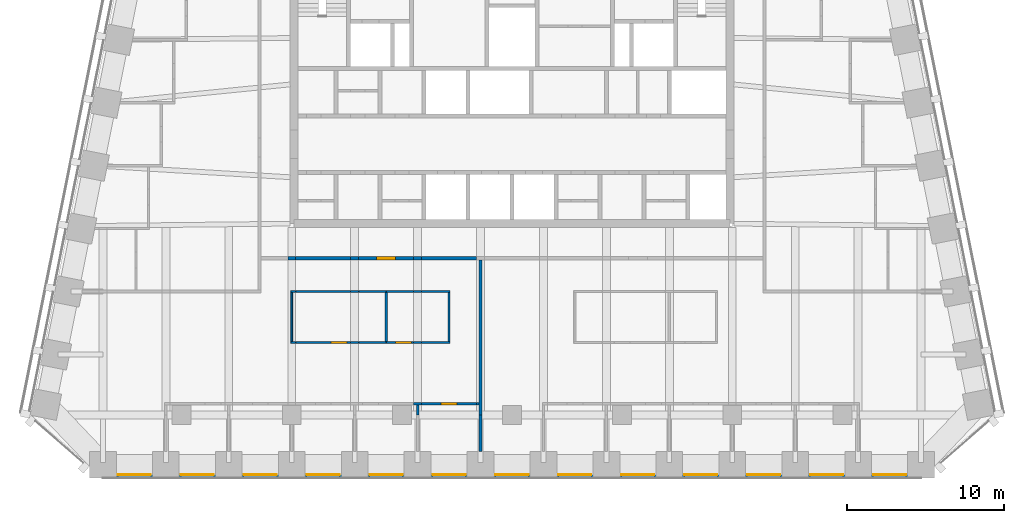
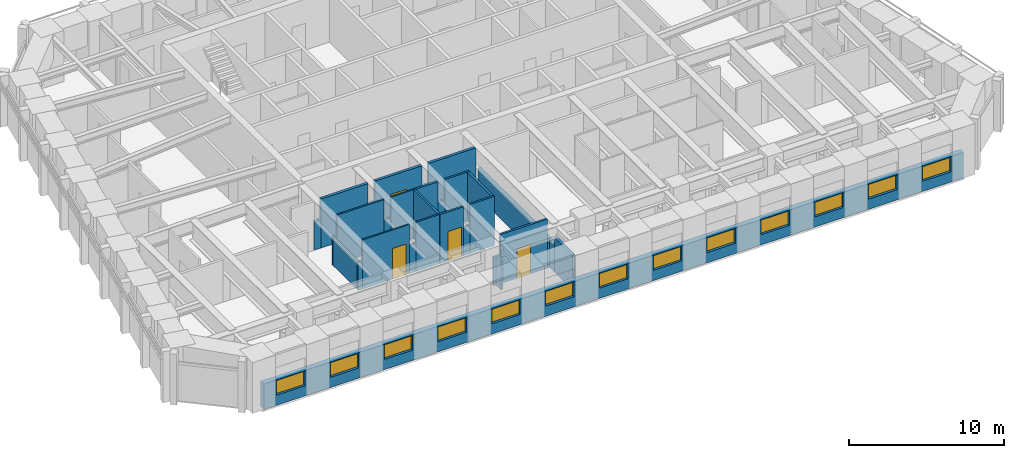
# One storey, part 5 of 13: 30 walls, 13 windows, 4 doors, 17 openings.
"""IFC4 building model written with IfcOpenShell, lengths in metres."""

import ifcopenshell
import ifcopenshell.guid

model = None  # the IFC model being written
_history = None  # IfcOwnerHistory: only IFC2X3 demands one
_inside = {}  # id of a spatial element -> (the spatial element, [elements in it])
_under = {}  # id of a project, library or spatial element -> (it, [spatial elements below it])
_declared = {}  # id of a project -> (the project, [libraries it declares])
_typed = {}  # id of a type object -> (the type object, [elements of that type])
_made_of = {}  # id of a material, layer set ... -> (it, [elements and type objects made of it])


def new_model(schema):
    """Start an empty IFC model of exactly this schema.

    Asked for "IFC4X3", IfcOpenShell would pick the latest addendum, in which some entities
    have other attributes; the version numbers below select the first issue.
    IFC2X3 requires an IfcOwnerHistory on every rooted entity: one is made here for all.
    """
    global model, _history
    if schema == "IFC4X3":
        model = ifcopenshell.file(schema_version=(4, 3, 0, 0))
    else:
        model = ifcopenshell.file(schema=schema)
    _inside.clear()
    _under.clear()
    _declared.clear()
    _typed.clear()
    _made_of.clear()
    _history = None
    if model.schema == "IFC2X3":
        org = make("IfcOrganization", Name="unknown")
        user = make(
            "IfcPersonAndOrganization",
            ThePerson=make("IfcPerson", FamilyName="unknown"),
            TheOrganization=org,
        )
        app = make(
            "IfcApplication",
            ApplicationDeveloper=org,
            Version="unknown",
            ApplicationFullName="unknown",
            ApplicationIdentifier="unknown",
        )
        _history = make(
            "IfcOwnerHistory",
            OwningUser=user,
            OwningApplication=app,
            ChangeAction="ADDED",
            CreationDate=0,
        )
    return model


def make(cls, **values):
    """One entity of the class cls with the attributes given. An attribute that is None is left unset."""
    return model.create_entity(
        cls, **{name: value for name, value in values.items() if value is not None}
    )


def rooted(cls, **values):
    """An entity with a GlobalId (a new one), such as an element, a storey or a relation."""
    return make(cls, GlobalId=ifcopenshell.guid.new(), OwnerHistory=_history, **values)


def si_unit(unit_type, name, prefix=None):
    """IfcSIUnit, for example si_unit("LENGTHUNIT", "METRE", prefix="MILLI")."""
    return make("IfcSIUnit", UnitType=unit_type, Prefix=prefix, Name=name)


def assignment(units):
    """IfcUnitAssignment: the units of a project."""
    return None if units is None else make("IfcUnitAssignment", Units=units)


def point(xyz):
    """IfcCartesianPoint."""
    return None if xyz is None else make("IfcCartesianPoint", Coordinates=xyz)


def direction(xyz):
    """IfcDirection."""
    return None if xyz is None else make("IfcDirection", DirectionRatios=xyz)


def frame(location, z_axis=None, x_axis=None):
    """IfcAxis2Placement3D, a coordinate frame: its origin and axes. An axis left out is left unset."""
    return make(
        "IfcAxis2Placement3D",
        Location=point(location),
        Axis=direction(z_axis),
        RefDirection=direction(x_axis),
    )


def frame_2d(location, x_axis=None):
    """IfcAxis2Placement2D, a coordinate frame in the plane: its origin and x axis."""
    return make(
        "IfcAxis2Placement2D", Location=point(location), RefDirection=direction(x_axis)
    )


def origin():
    """The frame at (0, 0, 0) with its axes left unset."""
    return frame((0.0, 0.0, 0.0))


def place(relative_to, where):
    """IfcLocalPlacement: puts the frame where relative to a parent placement (None: the world)."""
    return make(
        "IfcLocalPlacement", PlacementRelTo=relative_to, RelativePlacement=where
    )


def context(
    kind, dimensions, precision=None, world=None, true_north=None, identifier=None
):
    """IfcGeometricRepresentationContext, for example the 3D "Model" context."""
    return make(
        "IfcGeometricRepresentationContext",
        ContextIdentifier=identifier,
        ContextType=kind,
        CoordinateSpaceDimension=dimensions,
        Precision=precision,
        WorldCoordinateSystem=world,
        TrueNorth=true_north,
    )


def subcontext(parent, identifier, kind, view, scale=None):
    """IfcGeometricRepresentationSubContext, for example "Body" below "Model"."""
    return make(
        "IfcGeometricRepresentationSubContext",
        ContextIdentifier=identifier,
        ContextType=kind,
        ParentContext=parent,
        TargetScale=scale,
        TargetView=view,
    )


def project(units=None, contexts=None):
    """IfcProject with its units and contexts."""
    return rooted(
        "IfcProject",
        Name="project",
        RepresentationContexts=contexts,
        UnitsInContext=assignment(units),
    )


def spatial(cls, under=None, at=None, **own):
    """A site, building, storey or space (cls), placed at a placement, below another one or the project."""
    s = rooted(cls, ObjectPlacement=at, **own)
    if under is not None:
        _under.setdefault(under.id(), (under, []))[1].append(s)
    return s


def profile(cls, at=None, kind="AREA", **sizes):
    """A parametric profile (cls). Its sizes go by their IFC names, for example OverallWidth=200.0."""
    return make(cls, ProfileType=kind, Position=at, **sizes)


def rectangle(**sizes):
    """IfcRectangleProfileDef."""
    return profile("IfcRectangleProfileDef", **sizes)


def extrude(swept, where, along, depth):
    """IfcExtrudedAreaSolid: the profile swept, set in the frame where, extruded along a direction by depth."""
    return make(
        "IfcExtrudedAreaSolid",
        SweptArea=swept,
        Position=where,
        ExtrudedDirection=direction(along),
        Depth=depth,
    )


def shape(context_of_items, identifier, shape_type, items):
    """IfcShapeRepresentation: the items that make up one representation, for example the "Body"."""
    return make(
        "IfcShapeRepresentation",
        ContextOfItems=context_of_items,
        RepresentationIdentifier=identifier,
        RepresentationType=shape_type,
        Items=items,
    )


def material(Name=None, Category=None):
    """IfcMaterial."""
    return make("IfcMaterial", Name=Name, Category=Category)


def layer(
    of_material, thickness, ventilated=None, Name=None, Category=None, Priority=None
):
    """IfcMaterialLayer: one layer of a wall or slab, of a material (None: an air gap)."""
    return make(
        "IfcMaterialLayer",
        Material=of_material,
        LayerThickness=thickness,
        IsVentilated=ventilated,
        Name=Name,
        Category=Category,
        Priority=Priority,
    )


def layer_set(layers, Name=None):
    """IfcMaterialLayerSet."""
    return make("IfcMaterialLayerSet", MaterialLayers=layers, LayerSetName=Name)


def made_of(thing, what):
    """Note that an element or type object is made of a material, layer set ...; save() writes the relation."""
    if what is not None:
        _made_of.setdefault(what.id(), (what, []))[1].append(thing)
    return thing


def type_object(cls, material=None, **own):
    """A type object (cls), such as IfcWallType, which elements share."""
    return made_of(rooted(cls, **own), material)


def element(
    cls,
    number,
    at=None,
    inside=None,
    cuts=None,
    type_object=None,
    material=None,
    context=None,
    identifier="Body",
    shape_type=None,
    held_by="IfcProductDefinitionShape",
    body=None,
    shapes=None,
    **own,
):
    """One element of the class cls, such as IfcWall. Its Tag is "e" and its number.

    at: its placement. inside: the storey or other place that contains it. cuts: it is an
    opening in that element (IfcRelVoidsElement). A single representation is given by context,
    identifier, shape_type and body (its items); several are given by shapes. held_by: the class
    of the entity that holds the representations. save() writes the other relations.
    """
    e = rooted(cls, Tag="e%d" % number, ObjectPlacement=at, **own)
    if body is not None:
        shapes = [shape(context, identifier, shape_type, body)]
    if shapes is not None:
        e.Representation = make(held_by, Representations=shapes)
    if inside is not None:
        _inside.setdefault(inside.id(), (inside, []))[1].append(e)
    if cuts is not None:
        rooted(
            "IfcRelVoidsElement", RelatingBuildingElement=cuts, RelatedOpeningElement=e
        )
    if type_object is not None:
        _typed.setdefault(type_object.id(), (type_object, []))[1].append(e)
    return made_of(e, material)


def fill(opening, filler):
    """IfcRelFillsElement: the door or window that sits in an opening."""
    return rooted(
        "IfcRelFillsElement",
        RelatingOpeningElement=opening,
        RelatedBuildingElement=filler,
    )


def aggregate(whole, parts):
    """IfcRelAggregates: a whole, such as a stair, and the parts it consists of."""
    return rooted("IfcRelAggregates", RelatingObject=whole, RelatedObjects=parts)


def save(model, path):
    """Write the relations noted so far, then the file.

    IfcRelAggregates (storeys below a building ...), IfcRelContainedInSpatialStructure (elements
    in a storey), IfcRelDefinesByType, IfcRelAssociatesMaterial and IfcRelDeclares: one each for
    every whole, place, type object, material and project.
    """
    for whole, parts in _under.values():
        aggregate(whole, parts)
    for where, things in _inside.values():
        rooted(
            "IfcRelContainedInSpatialStructure",
            RelatedElements=things,
            RelatingStructure=where,
        )
    for kind, things in _typed.values():
        rooted("IfcRelDefinesByType", RelatedObjects=things, RelatingType=kind)
    for what, things in _made_of.values():
        rooted("IfcRelAssociatesMaterial", RelatedObjects=things, RelatingMaterial=what)
    for by, libraries in _declared.values():
        rooted("IfcRelDeclares", RelatingContext=by, RelatedDefinitions=libraries)
    model.write(path)


model = new_model("IFC4")

# Units and contexts
model_context = context("Model", 3, precision=1e-05, world=origin(), true_north=direction((0.0, 1.0)))
body_context = subcontext(model_context, "Body", "Model", "MODEL_VIEW")
ifc_project = project(units=[si_unit("LENGTHUNIT", "METRE"), si_unit("AREAUNIT", "SQUARE_METRE"), si_unit("VOLUMEUNIT", "CUBIC_METRE"), si_unit("PLANEANGLEUNIT", "RADIAN"), si_unit("MASSUNIT", "GRAM", prefix="KILO")], contexts=[model_context])

# Site, building, storey
site_placement = place(None, origin())
site = spatial("IfcSite", under=ifc_project, at=site_placement, CompositionType="ELEMENT")
building_placement = place(site_placement, origin())
building = spatial("IfcBuilding", under=site, at=building_placement, Name="Isbrekke Arena Tower", CompositionType="ELEMENT")
storey_placement = place(building_placement, frame((0.0, 0.0, 280.0)))
storey = spatial("IfcBuildingStorey", under=building, at=storey_placement, Name="L65", CompositionType="ELEMENT", Elevation=280.0)

# Wall, openings, windows
ifc_material_1 = material(Name="Copper cladding on insulated framing", Category="metal")
ifc_layer_1 = layer(ifc_material_1, 0.39990234375)
ifc_layer_set_1 = layer_set([ifc_layer_1], Name="EW2 COPPER-CLAD WALL 400")
wall_type_1 = type_object("IfcWallType", Name="EW2 COPPER-CLAD WALL 400", PredefinedType="SOLIDWALL", material=ifc_layer_set_1)
wall_1_placement = place(storey_placement, frame((-26.0, -9.800048828125, 0.0), z_axis=(0.0, 0.0, 1.0), x_axis=(1.0, 0.0, 0.0)))
wall_1 = element("IfcWall", 1, at=wall_1_placement, inside=storey, type_object=wall_type_1, Name="EW2 terrace wall L65", PredefinedType="SOLIDWALL", context=body_context, shape_type="SweptSolid", body=[
    extrude(rectangle(XDim=52.0, YDim=0.39990234375, at=frame_2d((26.0, 0.0))), origin(), (0.0, 0.0, 1.0), 2.0),
])
opening_1_placement = place(wall_1_placement, frame((0.949951171875, 0.0, 0.800048828125)))
opening_1 = element("IfcOpeningElement", 2, at=opening_1_placement, cuts=wall_1, Name="Opening WN1", PredefinedType="OPENING", context=body_context, shape_type="SweptSolid", body=[
    extrude(rectangle(XDim=2.10009765625, YDim=1.14990234375, at=frame_2d((1.050048828125, 0.574951171875))), frame((0.0, 0.21484375, 0.0), z_axis=(0.0, -1.0, 0.0), x_axis=(1.0, 0.0, 0.0)), (0.0, 0.0, 1.0), 0.4296875),
])
opening_2_placement = place(wall_1_placement, frame((4.949951171875, 0.0, 0.800048828125)))
opening_2 = element("IfcOpeningElement", 3, at=opening_2_placement, cuts=wall_1, Name="Opening WN1", PredefinedType="OPENING", context=body_context, shape_type="SweptSolid", body=[
    extrude(rectangle(XDim=2.10009765625, YDim=1.14990234375, at=frame_2d((1.050048828125, 0.574951171875))), frame((0.0, 0.21484375, 0.0), z_axis=(0.0, -1.0, 0.0), x_axis=(1.0, 0.0, 0.0)), (0.0, 0.0, 1.0), 0.4296875),
])
opening_3_placement = place(wall_1_placement, frame((8.949951171875, 0.0, 0.800048828125)))
opening_3 = element("IfcOpeningElement", 4, at=opening_3_placement, cuts=wall_1, Name="Opening WN1", PredefinedType="OPENING", context=body_context, shape_type="SweptSolid", body=[
    extrude(rectangle(XDim=2.10009765625, YDim=1.14990234375, at=frame_2d((1.050048828125, 0.574951171875))), frame((0.0, 0.21484375, 0.0), z_axis=(0.0, -1.0, 0.0), x_axis=(1.0, 0.0, 0.0)), (0.0, 0.0, 1.0), 0.4296875),
])
opening_4_placement = place(wall_1_placement, frame((12.949951171875, 0.0, 0.800048828125)))
opening_4 = element("IfcOpeningElement", 5, at=opening_4_placement, cuts=wall_1, Name="Opening WN1", PredefinedType="OPENING", context=body_context, shape_type="SweptSolid", body=[
    extrude(rectangle(XDim=2.10009765625, YDim=1.14990234375, at=frame_2d((1.050048828125, 0.574951171875))), frame((0.0, 0.21484375, 0.0), z_axis=(0.0, -1.0, 0.0), x_axis=(1.0, 0.0, 0.0)), (0.0, 0.0, 1.0), 0.4296875),
])
opening_5_placement = place(wall_1_placement, frame((16.949951171875, 0.0, 0.800048828125)))
opening_5 = element("IfcOpeningElement", 6, at=opening_5_placement, cuts=wall_1, Name="Opening WN1", PredefinedType="OPENING", context=body_context, shape_type="SweptSolid", body=[
    extrude(rectangle(XDim=2.10009765625, YDim=1.14990234375, at=frame_2d((1.050048828125, 0.574951171875))), frame((0.0, 0.21484375, 0.0), z_axis=(0.0, -1.0, 0.0), x_axis=(1.0, 0.0, 0.0)), (0.0, 0.0, 1.0), 0.4296875),
])
opening_6_placement = place(wall_1_placement, frame((20.949951171875, 0.0, 0.800048828125)))
opening_6 = element("IfcOpeningElement", 7, at=opening_6_placement, cuts=wall_1, Name="Opening WN1", PredefinedType="OPENING", context=body_context, shape_type="SweptSolid", body=[
    extrude(rectangle(XDim=2.10009765625, YDim=1.14990234375, at=frame_2d((1.050048828125, 0.574951171875))), frame((0.0, 0.21484375, 0.0), z_axis=(0.0, -1.0, 0.0), x_axis=(1.0, 0.0, 0.0)), (0.0, 0.0, 1.0), 0.4296875),
])
opening_7_placement = place(wall_1_placement, frame((24.949951171875, 0.0, 0.800048828125)))
opening_7 = element("IfcOpeningElement", 8, at=opening_7_placement, cuts=wall_1, Name="Opening WN1", PredefinedType="OPENING", context=body_context, shape_type="SweptSolid", body=[
    extrude(rectangle(XDim=2.10009765625, YDim=1.14990234375, at=frame_2d((1.050048828125, 0.574951171875))), frame((0.0, 0.21484375, 0.0), z_axis=(0.0, -1.0, 0.0), x_axis=(1.0, 0.0, 0.0)), (0.0, 0.0, 1.0), 0.4296875),
])
opening_8_placement = place(wall_1_placement, frame((28.949951171875, 0.0, 0.800048828125)))
opening_8 = element("IfcOpeningElement", 9, at=opening_8_placement, cuts=wall_1, Name="Opening WN1", PredefinedType="OPENING", context=body_context, shape_type="SweptSolid", body=[
    extrude(rectangle(XDim=2.10009765625, YDim=1.14990234375, at=frame_2d((1.050048828125, 0.574951171875))), frame((0.0, 0.21484375, 0.0), z_axis=(0.0, -1.0, 0.0), x_axis=(1.0, 0.0, 0.0)), (0.0, 0.0, 1.0), 0.4296875),
])
opening_9_placement = place(wall_1_placement, frame((32.949951171875, 0.0, 0.800048828125)))
opening_9 = element("IfcOpeningElement", 10, at=opening_9_placement, cuts=wall_1, Name="Opening WN1", PredefinedType="OPENING", context=body_context, shape_type="SweptSolid", body=[
    extrude(rectangle(XDim=2.10009765625, YDim=1.14990234375, at=frame_2d((1.050048828125, 0.574951171875))), frame((0.0, 0.21484375, 0.0), z_axis=(0.0, -1.0, 0.0), x_axis=(1.0, 0.0, 0.0)), (0.0, 0.0, 1.0), 0.4296875),
])
opening_10_placement = place(wall_1_placement, frame((36.949951171875, 0.0, 0.800048828125)))
opening_10 = element("IfcOpeningElement", 11, at=opening_10_placement, cuts=wall_1, Name="Opening WN1", PredefinedType="OPENING", context=body_context, shape_type="SweptSolid", body=[
    extrude(rectangle(XDim=2.10009765625, YDim=1.14990234375, at=frame_2d((1.050048828125, 0.574951171875))), frame((0.0, 0.21484375, 0.0), z_axis=(0.0, -1.0, 0.0), x_axis=(1.0, 0.0, 0.0)), (0.0, 0.0, 1.0), 0.4296875),
])
opening_11_placement = place(wall_1_placement, frame((40.949951171875, 0.0, 0.800048828125)))
opening_11 = element("IfcOpeningElement", 12, at=opening_11_placement, cuts=wall_1, Name="Opening WN1", PredefinedType="OPENING", context=body_context, shape_type="SweptSolid", body=[
    extrude(rectangle(XDim=2.10009765625, YDim=1.14990234375, at=frame_2d((1.050048828125, 0.574951171875))), frame((0.0, 0.21484375, 0.0), z_axis=(0.0, -1.0, 0.0), x_axis=(1.0, 0.0, 0.0)), (0.0, 0.0, 1.0), 0.4296875),
])
opening_12_placement = place(wall_1_placement, frame((44.949951171875, 0.0, 0.800048828125)))
opening_12 = element("IfcOpeningElement", 13, at=opening_12_placement, cuts=wall_1, Name="Opening WN1", PredefinedType="OPENING", context=body_context, shape_type="SweptSolid", body=[
    extrude(rectangle(XDim=2.10009765625, YDim=1.14990234375, at=frame_2d((1.050048828125, 0.574951171875))), frame((0.0, 0.21484375, 0.0), z_axis=(0.0, -1.0, 0.0), x_axis=(1.0, 0.0, 0.0)), (0.0, 0.0, 1.0), 0.4296875),
])
opening_13_placement = place(wall_1_placement, frame((48.949951171875, 0.0, 0.800048828125)))
opening_13 = element("IfcOpeningElement", 14, at=opening_13_placement, cuts=wall_1, Name="Opening WN1", PredefinedType="OPENING", context=body_context, shape_type="SweptSolid", body=[
    extrude(rectangle(XDim=2.10009765625, YDim=1.14990234375, at=frame_2d((1.050048828125, 0.574951171875))), frame((0.0, 0.21484375, 0.0), z_axis=(0.0, -1.0, 0.0), x_axis=(1.0, 0.0, 0.0)), (0.0, 0.0, 1.0), 0.4296875),
])
ifc_material_2 = material(Name="Timber-aluminium window, triple glazed", Category="wood")
window_type = type_object("IfcWindowType", Name="WN1 TERRACE WINDOW 2100 x 1150", PartitioningType="SINGLE_PANEL", PredefinedType="WINDOW", material=ifc_material_2)
window_1_placement = place(opening_1_placement, origin())
window_1 = element("IfcWindow", 15, at=window_1_placement, inside=storey, type_object=window_type, Name="WN1 terrace window L65-1", OverallHeight=1.14990234375, OverallWidth=2.10009765625, PartitioningType="SINGLE_PANEL", PredefinedType="WINDOW", context=body_context, shape_type="SweptSolid", body=[
    extrude(rectangle(XDim=2.10009765625, YDim=1.14990234375, at=frame_2d((1.050048828125, 0.574951171875))), frame((0.0, 0.030029296875, 0.0), z_axis=(0.0, -1.0, 0.0), x_axis=(1.0, 0.0, 0.0)), (0.0, 0.0, 1.0), 0.06005859375),
])
fill(opening_1, window_1)
window_2_placement = place(opening_2_placement, origin())
window_2 = element("IfcWindow", 16, at=window_2_placement, inside=storey, type_object=window_type, Name="WN1 terrace window L65-2", OverallHeight=1.14990234375, OverallWidth=2.10009765625, PartitioningType="SINGLE_PANEL", PredefinedType="WINDOW", context=body_context, shape_type="SweptSolid", body=[
    extrude(rectangle(XDim=2.10009765625, YDim=1.14990234375, at=frame_2d((1.050048828125, 0.574951171875))), frame((0.0, 0.030029296875, 0.0), z_axis=(0.0, -1.0, 0.0), x_axis=(1.0, 0.0, 0.0)), (0.0, 0.0, 1.0), 0.06005859375),
])
fill(opening_2, window_2)
window_3_placement = place(opening_3_placement, origin())
window_3 = element("IfcWindow", 17, at=window_3_placement, inside=storey, type_object=window_type, Name="WN1 terrace window L65-3", OverallHeight=1.14990234375, OverallWidth=2.10009765625, PartitioningType="SINGLE_PANEL", PredefinedType="WINDOW", context=body_context, shape_type="SweptSolid", body=[
    extrude(rectangle(XDim=2.10009765625, YDim=1.14990234375, at=frame_2d((1.050048828125, 0.574951171875))), frame((0.0, 0.030029296875, 0.0), z_axis=(0.0, -1.0, 0.0), x_axis=(1.0, 0.0, 0.0)), (0.0, 0.0, 1.0), 0.06005859375),
])
fill(opening_3, window_3)
window_4_placement = place(opening_4_placement, origin())
window_4 = element("IfcWindow", 18, at=window_4_placement, inside=storey, type_object=window_type, Name="WN1 terrace window L65-4", OverallHeight=1.14990234375, OverallWidth=2.10009765625, PartitioningType="SINGLE_PANEL", PredefinedType="WINDOW", context=body_context, shape_type="SweptSolid", body=[
    extrude(rectangle(XDim=2.10009765625, YDim=1.14990234375, at=frame_2d((1.050048828125, 0.574951171875))), frame((0.0, 0.030029296875, 0.0), z_axis=(0.0, -1.0, 0.0), x_axis=(1.0, 0.0, 0.0)), (0.0, 0.0, 1.0), 0.06005859375),
])
fill(opening_4, window_4)
window_5_placement = place(opening_5_placement, origin())
window_5 = element("IfcWindow", 19, at=window_5_placement, inside=storey, type_object=window_type, Name="WN1 terrace window L65-5", OverallHeight=1.14990234375, OverallWidth=2.10009765625, PartitioningType="SINGLE_PANEL", PredefinedType="WINDOW", context=body_context, shape_type="SweptSolid", body=[
    extrude(rectangle(XDim=2.10009765625, YDim=1.14990234375, at=frame_2d((1.050048828125, 0.574951171875))), frame((0.0, 0.030029296875, 0.0), z_axis=(0.0, -1.0, 0.0), x_axis=(1.0, 0.0, 0.0)), (0.0, 0.0, 1.0), 0.06005859375),
])
fill(opening_5, window_5)
window_6_placement = place(opening_6_placement, origin())
window_6 = element("IfcWindow", 20, at=window_6_placement, inside=storey, type_object=window_type, Name="WN1 terrace window L65-6", OverallHeight=1.14990234375, OverallWidth=2.10009765625, PartitioningType="SINGLE_PANEL", PredefinedType="WINDOW", context=body_context, shape_type="SweptSolid", body=[
    extrude(rectangle(XDim=2.10009765625, YDim=1.14990234375, at=frame_2d((1.050048828125, 0.574951171875))), frame((0.0, 0.030029296875, 0.0), z_axis=(0.0, -1.0, 0.0), x_axis=(1.0, 0.0, 0.0)), (0.0, 0.0, 1.0), 0.06005859375),
])
fill(opening_6, window_6)
window_7_placement = place(opening_7_placement, origin())
window_7 = element("IfcWindow", 21, at=window_7_placement, inside=storey, type_object=window_type, Name="WN1 terrace window L65-7", OverallHeight=1.14990234375, OverallWidth=2.10009765625, PartitioningType="SINGLE_PANEL", PredefinedType="WINDOW", context=body_context, shape_type="SweptSolid", body=[
    extrude(rectangle(XDim=2.10009765625, YDim=1.14990234375, at=frame_2d((1.050048828125, 0.574951171875))), frame((0.0, 0.030029296875, 0.0), z_axis=(0.0, -1.0, 0.0), x_axis=(1.0, 0.0, 0.0)), (0.0, 0.0, 1.0), 0.06005859375),
])
fill(opening_7, window_7)
window_8_placement = place(opening_8_placement, origin())
window_8 = element("IfcWindow", 22, at=window_8_placement, inside=storey, type_object=window_type, Name="WN1 terrace window L65-8", OverallHeight=1.14990234375, OverallWidth=2.10009765625, PartitioningType="SINGLE_PANEL", PredefinedType="WINDOW", context=body_context, shape_type="SweptSolid", body=[
    extrude(rectangle(XDim=2.10009765625, YDim=1.14990234375, at=frame_2d((1.050048828125, 0.574951171875))), frame((0.0, 0.030029296875, 0.0), z_axis=(0.0, -1.0, 0.0), x_axis=(1.0, 0.0, 0.0)), (0.0, 0.0, 1.0), 0.06005859375),
])
fill(opening_8, window_8)
window_9_placement = place(opening_9_placement, origin())
window_9 = element("IfcWindow", 23, at=window_9_placement, inside=storey, type_object=window_type, Name="WN1 terrace window L65-9", OverallHeight=1.14990234375, OverallWidth=2.10009765625, PartitioningType="SINGLE_PANEL", PredefinedType="WINDOW", context=body_context, shape_type="SweptSolid", body=[
    extrude(rectangle(XDim=2.10009765625, YDim=1.14990234375, at=frame_2d((1.050048828125, 0.574951171875))), frame((0.0, 0.030029296875, 0.0), z_axis=(0.0, -1.0, 0.0), x_axis=(1.0, 0.0, 0.0)), (0.0, 0.0, 1.0), 0.06005859375),
])
fill(opening_9, window_9)
window_10_placement = place(opening_10_placement, origin())
window_10 = element("IfcWindow", 24, at=window_10_placement, inside=storey, type_object=window_type, Name="WN1 terrace window L65-10", OverallHeight=1.14990234375, OverallWidth=2.10009765625, PartitioningType="SINGLE_PANEL", PredefinedType="WINDOW", context=body_context, shape_type="SweptSolid", body=[
    extrude(rectangle(XDim=2.10009765625, YDim=1.14990234375, at=frame_2d((1.050048828125, 0.574951171875))), frame((0.0, 0.030029296875, 0.0), z_axis=(0.0, -1.0, 0.0), x_axis=(1.0, 0.0, 0.0)), (0.0, 0.0, 1.0), 0.06005859375),
])
fill(opening_10, window_10)
window_11_placement = place(opening_11_placement, origin())
window_11 = element("IfcWindow", 25, at=window_11_placement, inside=storey, type_object=window_type, Name="WN1 terrace window L65-11", OverallHeight=1.14990234375, OverallWidth=2.10009765625, PartitioningType="SINGLE_PANEL", PredefinedType="WINDOW", context=body_context, shape_type="SweptSolid", body=[
    extrude(rectangle(XDim=2.10009765625, YDim=1.14990234375, at=frame_2d((1.050048828125, 0.574951171875))), frame((0.0, 0.030029296875, 0.0), z_axis=(0.0, -1.0, 0.0), x_axis=(1.0, 0.0, 0.0)), (0.0, 0.0, 1.0), 0.06005859375),
])
fill(opening_11, window_11)
window_12_placement = place(opening_12_placement, origin())
window_12 = element("IfcWindow", 26, at=window_12_placement, inside=storey, type_object=window_type, Name="WN1 terrace window L65-12", OverallHeight=1.14990234375, OverallWidth=2.10009765625, PartitioningType="SINGLE_PANEL", PredefinedType="WINDOW", context=body_context, shape_type="SweptSolid", body=[
    extrude(rectangle(XDim=2.10009765625, YDim=1.14990234375, at=frame_2d((1.050048828125, 0.574951171875))), frame((0.0, 0.030029296875, 0.0), z_axis=(0.0, -1.0, 0.0), x_axis=(1.0, 0.0, 0.0)), (0.0, 0.0, 1.0), 0.06005859375),
])
fill(opening_12, window_12)
window_13_placement = place(opening_13_placement, origin())
window_13 = element("IfcWindow", 27, at=window_13_placement, inside=storey, type_object=window_type, Name="WN1 terrace window L65-13", OverallHeight=1.14990234375, OverallWidth=2.10009765625, PartitioningType="SINGLE_PANEL", PredefinedType="WINDOW", context=body_context, shape_type="SweptSolid", body=[
    extrude(rectangle(XDim=2.10009765625, YDim=1.14990234375, at=frame_2d((1.050048828125, 0.574951171875))), frame((0.0, 0.030029296875, 0.0), z_axis=(0.0, -1.0, 0.0), x_axis=(1.0, 0.0, 0.0)), (0.0, 0.0, 1.0), 0.06005859375),
])
fill(opening_13, window_13)

# Wall
ifc_material_3 = material(Name="Gypsum board partition on steel studs", Category="steel")
ifc_layer_2 = layer(ifc_material_3, 0.14990234375)
ifc_layer_set_2 = layer_set([ifc_layer_2], Name="IW1 PARTITION 150")
wall_type_2 = type_object("IfcWallType", Name="IW1 PARTITION 150", PredefinedType="PARTITIONING", material=ifc_layer_set_2)
wall_2_placement = place(storey_placement, frame((-6.25, -5.300048828125, 0.0), z_axis=(0.0, 0.0, 1.0), x_axis=(1.0, 0.0, 0.0)))
element("IfcWall", 28, at=wall_2_placement, inside=storey, type_object=wall_type_2, Name="IW1 partition 150 L65", PredefinedType="PARTITIONING", context=body_context, shape_type="SweptSolid", body=[
    extrude(rectangle(XDim=0.5, YDim=0.14990234375, at=frame_2d((0.25, 0.0))), origin(), (0.0, 0.0, 1.0), 2.25),
])

# Wall, opening, door
wall_3_placement = place(storey_placement, frame((-5.75, -5.300048828125, 0.0), z_axis=(0.0, 0.0, 1.0), x_axis=(1.0, 0.0, 0.0)))
wall_3 = element("IfcWall", 29, at=wall_3_placement, inside=storey, type_object=wall_type_2, Name="IW1 partition 150 L65", PredefinedType="PARTITIONING", context=body_context, shape_type="SweptSolid", body=[
    extrude(rectangle(XDim=3.5, YDim=0.14990234375, at=frame_2d((1.75, 0.0))), origin(), (0.0, 0.0, 1.0), 3.85009765625),
])
opening_14_placement = place(wall_3_placement, frame((1.25, 0.0, 0.0)))
opening_14 = element("IfcOpeningElement", 30, at=opening_14_placement, cuts=wall_3, Name="Opening D10", PredefinedType="OPENING", context=body_context, shape_type="SweptSolid", body=[
    extrude(rectangle(XDim=1.0, YDim=2.300048828125, at=frame_2d((0.5, 1.14990234375))), frame((0.0, 0.08984375, 0.0), z_axis=(0.0, -1.0, 0.0), x_axis=(1.0, 0.0, 0.0)), (0.0, 0.0, 1.0), 0.1796875),
])
ifc_material_4 = material(Name="Timber door", Category="wood")
door_type_1 = type_object("IfcDoorType", Name="D10 OFFICE DOOR 1000 x 2300", OperationType="SINGLE_SWING_LEFT", PredefinedType="DOOR", material=ifc_material_4)
door_1_placement = place(opening_14_placement, origin())
door_1 = element("IfcDoor", 31, at=door_1_placement, inside=storey, type_object=door_type_1, Name="D10 office door L65", OperationType="SINGLE_SWING_LEFT", OverallHeight=2.300048828125, OverallWidth=1.0, PredefinedType="DOOR", context=body_context, shape_type="SweptSolid", body=[
    extrude(rectangle(XDim=1.0, YDim=2.300048828125, at=frame_2d((0.5, 1.14990234375))), frame((0.0, 0.07470703125, 0.0), z_axis=(0.0, -1.0, 0.0), x_axis=(1.0, 0.0, 0.0)), (0.0, 0.0, 1.0), 0.1494140625),
])
fill(opening_14, door_1)

# Wall
wall_4_placement = place(storey_placement, frame((-2.25, -5.300048828125, 0.0), z_axis=(0.0, 0.0, 1.0), x_axis=(1.0, 0.0, 0.0)))
element("IfcWall", 32, at=wall_4_placement, inside=storey, type_object=wall_type_2, Name="IW1 partition 150 L65", PredefinedType="PARTITIONING", context=body_context, shape_type="SweptSolid", body=[
    extrude(rectangle(XDim=0.14990234375, YDim=0.14990234375, at=frame_2d((0.074951171875, 0.0))), origin(), (0.0, 0.0, 1.0), 2.25),
])

# Wall, opening, door
wall_5_placement = place(storey_placement, frame((-8.0, -1.39990234375, 0.0), z_axis=(0.0, 0.0, 1.0), x_axis=(1.0, 0.0, 0.0)))
wall_5 = element("IfcWall", 33, at=wall_5_placement, inside=storey, type_object=wall_type_2, Name="IW1 partition 150 L65", PredefinedType="PARTITIONING", context=body_context, shape_type="SweptSolid", body=[
    extrude(rectangle(XDim=1.75, YDim=0.14990234375, at=frame_2d((0.875, 0.0))), origin(), (0.0, 0.0, 1.0), 3.85009765625),
])
opening_15_placement = place(wall_5_placement, frame((0.60009765625, 0.0, 0.0)))
opening_15 = element("IfcOpeningElement", 34, at=opening_15_placement, cuts=wall_5, Name="Opening D10", PredefinedType="OPENING", context=body_context, shape_type="SweptSolid", body=[
    extrude(rectangle(XDim=1.0, YDim=2.300048828125, at=frame_2d((0.5, 1.14990234375))), frame((0.0, 0.08984375, 0.0), z_axis=(0.0, -1.0, 0.0), x_axis=(1.0, 0.0, 0.0)), (0.0, 0.0, 1.0), 0.1796875),
])
door_2_placement = place(opening_15_placement, origin())
door_2 = element("IfcDoor", 35, at=door_2_placement, inside=storey, type_object=door_type_1, Name="D10 pantry door L65", OperationType="SINGLE_SWING_LEFT", OverallHeight=2.300048828125, OverallWidth=1.0, PredefinedType="DOOR", context=body_context, shape_type="SweptSolid", body=[
    extrude(rectangle(XDim=1.0, YDim=2.300048828125, at=frame_2d((0.5, 1.14990234375))), frame((0.0, 0.07470703125, 0.0), z_axis=(0.0, -1.0, 0.0), x_axis=(1.0, 0.0, 0.0)), (0.0, 0.0, 1.0), 0.1494140625),
])
fill(opening_15, door_2)

# Walls
wall_6_placement = place(storey_placement, frame((-6.25, -1.39990234375, 0.0), z_axis=(0.0, 0.0, 1.0), x_axis=(1.0, 0.0, 0.0)))
element("IfcWall", 36, at=wall_6_placement, inside=storey, type_object=wall_type_2, Name="IW1 partition 150 L65", PredefinedType="PARTITIONING", context=body_context, shape_type="SweptSolid", body=[
    extrude(rectangle(XDim=0.5, YDim=0.14990234375, at=frame_2d((0.25, 0.0))), origin(), (0.0, 0.0, 1.0), 2.25),
])
wall_7_placement = place(storey_placement, frame((-5.75, -1.39990234375, 0.0), z_axis=(0.0, 0.0, 1.0), x_axis=(1.0, 0.0, 0.0)))
element("IfcWall", 37, at=wall_7_placement, inside=storey, type_object=wall_type_2, Name="IW1 partition 150 L65", PredefinedType="PARTITIONING", context=body_context, shape_type="SweptSolid", body=[
    extrude(rectangle(XDim=1.824951171875, YDim=0.14990234375, at=frame_2d((0.91259765625, 0.0))), origin(), (0.0, 0.0, 1.0), 3.85009765625),
])
wall_8_placement = place(storey_placement, frame((-8.0, 1.840087890625, 0.0), z_axis=(0.0, 0.0, 1.0), x_axis=(1.0, 0.0, 0.0)))
element("IfcWall", 38, at=wall_8_placement, inside=storey, type_object=wall_type_2, Name="IW1 partition 150 L65", PredefinedType="PARTITIONING", context=body_context, shape_type="SweptSolid", body=[
    extrude(rectangle(XDim=1.75, YDim=0.14990234375, at=frame_2d((0.875, 0.0))), origin(), (0.0, 0.0, 1.0), 3.85009765625),
])
wall_9_placement = place(storey_placement, frame((-6.25, 1.840087890625, 0.0), z_axis=(0.0, 0.0, 1.0), x_axis=(1.0, 0.0, 0.0)))
element("IfcWall", 39, at=wall_9_placement, inside=storey, type_object=wall_type_2, Name="IW1 partition 150 L65", PredefinedType="PARTITIONING", context=body_context, shape_type="SweptSolid", body=[
    extrude(rectangle(XDim=0.5, YDim=0.14990234375, at=frame_2d((0.25, 0.0))), origin(), (0.0, 0.0, 1.0), 2.25),
])
wall_10_placement = place(storey_placement, frame((-5.75, 1.840087890625, 0.0), z_axis=(0.0, 0.0, 1.0), x_axis=(1.0, 0.0, 0.0)))
element("IfcWall", 40, at=wall_10_placement, inside=storey, type_object=wall_type_2, Name="IW1 partition 150 L65", PredefinedType="PARTITIONING", context=body_context, shape_type="SweptSolid", body=[
    extrude(rectangle(XDim=1.824951171875, YDim=0.14990234375, at=frame_2d((0.91259765625, 0.0))), origin(), (0.0, 0.0, 1.0), 3.85009765625),
])
wall_11_placement = place(storey_placement, frame((-8.0, -1.324951171875, 0.0), z_axis=(0.0, 0.0, 1.0), x_axis=(0.0, 1.0, 0.0)))
element("IfcWall", 41, at=wall_11_placement, inside=storey, type_object=wall_type_2, Name="IW1 partition 150 L65", PredefinedType="PARTITIONING", context=body_context, shape_type="SweptSolid", body=[
    extrude(rectangle(XDim=3.08984375, YDim=0.14990234375, at=frame_2d((1.544921875, 0.0))), origin(), (0.0, 0.0, 1.0), 3.85009765625),
])
wall_12_placement = place(storey_placement, frame((-6.0, -6.0, 0.0), z_axis=(0.0, 0.0, 1.0), x_axis=(0.0, 1.0, 0.0)))
element("IfcWall", 42, at=wall_12_placement, inside=storey, type_object=wall_type_2, Name="IW1 partition 150 L65", PredefinedType="PARTITIONING", context=body_context, shape_type="SweptSolid", body=[
    extrude(rectangle(XDim=0.625, YDim=0.14990234375, at=frame_2d((0.3125, 0.0))), origin(), (0.0, 0.0, 1.0), 2.25),
])
wall_13_placement = place(storey_placement, frame((-4.0, -1.324951171875, 0.0), z_axis=(0.0, 0.0, 1.0), x_axis=(0.0, 1.0, 0.0)))
element("IfcWall", 43, at=wall_13_placement, inside=storey, type_object=wall_type_2, Name="IW1 partition 150 L65", PredefinedType="PARTITIONING", context=body_context, shape_type="SweptSolid", body=[
    extrude(rectangle(XDim=3.08984375, YDim=0.14990234375, at=frame_2d((1.544921875, 0.0))), origin(), (0.0, 0.0, 1.0), 3.85009765625),
])
ifc_material_5 = material(Name="Frameless glazed partition, laminated acoustic glass", Category="glass")
ifc_layer_3 = layer(ifc_material_5, 0.1201171875)
ifc_layer_set_3 = layer_set([ifc_layer_3], Name="IW2 GLAZED PARTITION 120")
wall_type_3 = type_object("IfcWallType", Name="IW2 GLAZED PARTITION 120", PredefinedType="PARTITIONING", material=ifc_layer_set_3)
wall_14_placement = place(storey_placement, frame((-14.06005859375, -1.39990234375, 0.0), z_axis=(0.0, 0.0, 1.0), x_axis=(1.0, 0.0, 0.0)))
element("IfcWall", 44, at=wall_14_placement, inside=storey, type_object=wall_type_3, Name="IW2 glazed partition 120 L65", PredefinedType="PARTITIONING", context=body_context, shape_type="SweptSolid", body=[
    extrude(rectangle(XDim=0.31005859375, YDim=0.1201171875, at=frame_2d((0.155029296875, 0.0))), origin(), (0.0, 0.0, 1.0), 2.25),
])

# Wall, opening, door
wall_15_placement = place(storey_placement, frame((-13.75, -1.39990234375, 0.0), z_axis=(0.0, 0.0, 1.0), x_axis=(1.0, 0.0, 0.0)))
wall_15 = element("IfcWall", 45, at=wall_15_placement, inside=storey, type_object=wall_type_3, Name="IW2 glazed partition 120 L65", PredefinedType="PARTITIONING", context=body_context, shape_type="SweptSolid", body=[
    extrude(rectangle(XDim=3.5, YDim=0.1201171875, at=frame_2d((1.75, 0.0))), origin(), (0.0, 0.0, 1.0), 3.85009765625),
])
opening_16_placement = place(wall_15_placement, frame((2.25, 0.0, 0.0)))
opening_16 = element("IfcOpeningElement", 46, at=opening_16_placement, cuts=wall_15, Name="Opening D11", PredefinedType="OPENING", context=body_context, shape_type="SweptSolid", body=[
    extrude(rectangle(XDim=1.0, YDim=2.39990234375, at=frame_2d((0.5, 1.199951171875))), frame((0.0, 0.074951171875, 0.0), z_axis=(0.0, -1.0, 0.0), x_axis=(1.0, 0.0, 0.0)), (0.0, 0.0, 1.0), 0.14990234375),
])
ifc_material_6 = material(Name="Frameless glazed door", Category="glass")
door_type_2 = type_object("IfcDoorType", Name="D11 GLAZED MEETING ROOM DOOR 1000 x 2400", OperationType="SINGLE_SWING_RIGHT", PredefinedType="DOOR", material=ifc_material_6)
door_3_placement = place(opening_16_placement, origin())
door_3 = element("IfcDoor", 47, at=door_3_placement, inside=storey, type_object=door_type_2, Name="D11 meeting room door L65", OperationType="SINGLE_SWING_RIGHT", OverallHeight=2.39990234375, OverallWidth=1.0, PredefinedType="DOOR", context=body_context, shape_type="SweptSolid", body=[
    extrude(rectangle(XDim=1.0, YDim=2.39990234375, at=frame_2d((0.5, 1.199951171875))), frame((0.0, 0.059814453125, 0.0), z_axis=(0.0, -1.0, 0.0), x_axis=(1.0, 0.0, 0.0)), (0.0, 0.0, 1.0), 0.11962890625),
])
fill(opening_16, door_3)

# Walls
wall_16_placement = place(storey_placement, frame((-10.25, -1.39990234375, 0.0), z_axis=(0.0, 0.0, 1.0), x_axis=(1.0, 0.0, 0.0)))
element("IfcWall", 48, at=wall_16_placement, inside=storey, type_object=wall_type_3, Name="IW2 glazed partition 120 L65", PredefinedType="PARTITIONING", context=body_context, shape_type="SweptSolid", body=[
    extrude(rectangle(XDim=0.5, YDim=0.1201171875, at=frame_2d((0.25, 0.0))), origin(), (0.0, 0.0, 1.0), 2.25),
])
wall_17_placement = place(storey_placement, frame((-9.75, -1.39990234375, 0.0), z_axis=(0.0, 0.0, 1.0), x_axis=(1.0, 0.0, 0.0)))
element("IfcWall", 49, at=wall_17_placement, inside=storey, type_object=wall_type_3, Name="IW2 glazed partition 120 L65", PredefinedType="PARTITIONING", context=body_context, shape_type="SweptSolid", body=[
    extrude(rectangle(XDim=1.75, YDim=0.1201171875, at=frame_2d((0.875, 0.0))), origin(), (0.0, 0.0, 1.0), 3.85009765625),
])
wall_18_placement = place(storey_placement, frame((-14.06005859375, 1.840087890625, 0.0), z_axis=(0.0, 0.0, 1.0), x_axis=(1.0, 0.0, 0.0)))
element("IfcWall", 50, at=wall_18_placement, inside=storey, type_object=wall_type_3, Name="IW2 glazed partition 120 L65", PredefinedType="PARTITIONING", context=body_context, shape_type="SweptSolid", body=[
    extrude(rectangle(XDim=0.31005859375, YDim=0.1201171875, at=frame_2d((0.155029296875, 0.0))), origin(), (0.0, 0.0, 1.0), 2.25),
])
wall_19_placement = place(storey_placement, frame((-13.75, 1.840087890625, 0.0), z_axis=(0.0, 0.0, 1.0), x_axis=(1.0, 0.0, 0.0)))
element("IfcWall", 51, at=wall_19_placement, inside=storey, type_object=wall_type_3, Name="IW2 glazed partition 120 L65", PredefinedType="PARTITIONING", context=body_context, shape_type="SweptSolid", body=[
    extrude(rectangle(XDim=3.5, YDim=0.1201171875, at=frame_2d((1.75, 0.0))), origin(), (0.0, 0.0, 1.0), 3.85009765625),
])
wall_20_placement = place(storey_placement, frame((-10.25, 1.840087890625, 0.0), z_axis=(0.0, 0.0, 1.0), x_axis=(1.0, 0.0, 0.0)))
element("IfcWall", 52, at=wall_20_placement, inside=storey, type_object=wall_type_3, Name="IW2 glazed partition 120 L65", PredefinedType="PARTITIONING", context=body_context, shape_type="SweptSolid", body=[
    extrude(rectangle(XDim=0.5, YDim=0.1201171875, at=frame_2d((0.25, 0.0))), origin(), (0.0, 0.0, 1.0), 2.25),
])
wall_21_placement = place(storey_placement, frame((-9.75, 1.840087890625, 0.0), z_axis=(0.0, 0.0, 1.0), x_axis=(1.0, 0.0, 0.0)))
element("IfcWall", 53, at=wall_21_placement, inside=storey, type_object=wall_type_3, Name="IW2 glazed partition 120 L65", PredefinedType="PARTITIONING", context=body_context, shape_type="SweptSolid", body=[
    extrude(rectangle(XDim=1.75, YDim=0.1201171875, at=frame_2d((0.875, 0.0))), origin(), (0.0, 0.0, 1.0), 3.85009765625),
])
wall_22_placement = place(storey_placement, frame((-14.0, -1.340087890625, 0.0), z_axis=(0.0, 0.0, 1.0), x_axis=(0.0, 1.0, 0.0)))
element("IfcWall", 54, at=wall_22_placement, inside=storey, type_object=wall_type_3, Name="IW2 glazed partition 120 L65", PredefinedType="PARTITIONING", context=body_context, shape_type="SweptSolid", body=[
    extrude(rectangle(XDim=3.1201171875, YDim=0.1201171875, at=frame_2d((1.56005859375, 0.0))), origin(), (0.0, 0.0, 1.0), 2.25),
])
ifc_material_7 = material(Name="Gypsum board fire-cell wall on steel studs, two layers each side", Category="steel")
ifc_layer_4 = layer(ifc_material_7, 0.199951171875)
ifc_layer_set_4 = layer_set([ifc_layer_4], Name="IW3 FIRE-CELL WALL 200")
wall_type_4 = type_object("IfcWallType", Name="IW3 FIRE-CELL WALL 200", PredefinedType="PARTITIONING", material=ifc_layer_set_4)
wall_23_placement = place(storey_placement, frame((-14.25, 3.949951171875, 0.0), z_axis=(0.0, 0.0, 1.0), x_axis=(1.0, 0.0, 0.0)))
element("IfcWall", 55, at=wall_23_placement, inside=storey, type_object=wall_type_4, Name="IW3 fire-cell wall 200 L65", PredefinedType="PARTITIONING", context=body_context, shape_type="SweptSolid", body=[
    extrude(rectangle(XDim=0.5, YDim=0.199951171875, at=frame_2d((0.25, 0.0))), origin(), (0.0, 0.0, 1.0), 2.25),
])
wall_24_placement = place(storey_placement, frame((-13.75, 3.949951171875, 0.0), z_axis=(0.0, 0.0, 1.0), x_axis=(1.0, 0.0, 0.0)))
element("IfcWall", 56, at=wall_24_placement, inside=storey, type_object=wall_type_4, Name="IW3 fire-cell wall 200 L65", PredefinedType="PARTITIONING", context=body_context, shape_type="SweptSolid", body=[
    extrude(rectangle(XDim=3.5, YDim=0.199951171875, at=frame_2d((1.75, 0.0))), origin(), (0.0, 0.0, 1.0), 3.85009765625),
])
wall_25_placement = place(storey_placement, frame((-10.25, 3.949951171875, 0.0), z_axis=(0.0, 0.0, 1.0), x_axis=(1.0, 0.0, 0.0)))
element("IfcWall", 57, at=wall_25_placement, inside=storey, type_object=wall_type_4, Name="IW3 fire-cell wall 200 L65", PredefinedType="PARTITIONING", context=body_context, shape_type="SweptSolid", body=[
    extrude(rectangle(XDim=0.5, YDim=0.199951171875, at=frame_2d((0.25, 0.0))), origin(), (0.0, 0.0, 1.0), 2.25),
])

# Wall, opening, door
wall_26_placement = place(storey_placement, frame((-9.75, 3.949951171875, 0.0), z_axis=(0.0, 0.0, 1.0), x_axis=(1.0, 0.0, 0.0)))
wall_26 = element("IfcWall", 58, at=wall_26_placement, inside=storey, type_object=wall_type_4, Name="IW3 fire-cell wall 200 L65", PredefinedType="PARTITIONING", context=body_context, shape_type="SweptSolid", body=[
    extrude(rectangle(XDim=3.5, YDim=0.199951171875, at=frame_2d((1.75, 0.0))), origin(), (0.0, 0.0, 1.0), 3.85009765625),
])
opening_17_placement = place(wall_26_placement, frame((1.14990234375, 0.0, 0.0)))
opening_17 = element("IfcOpeningElement", 59, at=opening_17_placement, cuts=wall_26, Name="Opening D12", PredefinedType="OPENING", context=body_context, shape_type="SweptSolid", body=[
    extrude(rectangle(XDim=1.199951171875, YDim=2.39990234375, at=frame_2d((0.60009765625, 1.199951171875))), frame((0.0, 0.11474609375, 0.0), z_axis=(0.0, -1.0, 0.0), x_axis=(1.0, 0.0, 0.0)), (0.0, 0.0, 1.0), 0.229736328125),
])
ifc_material_8 = material(Name="Timber fire door with vision panel", Category="wood")
door_type_3 = type_object("IfcDoorType", Name="D12 SUITE ENTRANCE DOOR 1200 x 2400", OperationType="SINGLE_SWING_LEFT", PredefinedType="DOOR", material=ifc_material_8)
door_4_placement = place(opening_17_placement, origin())
door_4 = element("IfcDoor", 60, at=door_4_placement, inside=storey, type_object=door_type_3, Name="D12 suite entrance SW door L65", OperationType="SINGLE_SWING_LEFT", OverallHeight=2.39990234375, OverallWidth=1.199951171875, PredefinedType="DOOR", context=body_context, shape_type="SweptSolid", body=[
    extrude(rectangle(XDim=1.199951171875, YDim=2.39990234375, at=frame_2d((0.60009765625, 1.199951171875))), frame((0.0, 0.099609375, 0.0), z_axis=(0.0, -1.0, 0.0), x_axis=(1.0, 0.0, 0.0)), (0.0, 0.0, 1.0), 0.199462890625),
])
fill(opening_17, door_4)

# Walls
wall_27_placement = place(storey_placement, frame((-6.25, 3.949951171875, 0.0), z_axis=(0.0, 0.0, 1.0), x_axis=(1.0, 0.0, 0.0)))
element("IfcWall", 61, at=wall_27_placement, inside=storey, type_object=wall_type_4, Name="IW3 fire-cell wall 200 L65", PredefinedType="PARTITIONING", context=body_context, shape_type="SweptSolid", body=[
    extrude(rectangle(XDim=0.5, YDim=0.199951171875, at=frame_2d((0.25, 0.0))), origin(), (0.0, 0.0, 1.0), 2.25),
])
wall_28_placement = place(storey_placement, frame((-5.75, 3.949951171875, 0.0), z_axis=(0.0, 0.0, 1.0), x_axis=(1.0, 0.0, 0.0)))
element("IfcWall", 62, at=wall_28_placement, inside=storey, type_object=wall_type_4, Name="IW3 fire-cell wall 200 L65", PredefinedType="PARTITIONING", context=body_context, shape_type="SweptSolid", body=[
    extrude(rectangle(XDim=3.5, YDim=0.199951171875, at=frame_2d((1.75, 0.0))), origin(), (0.0, 0.0, 1.0), 3.85009765625),
])
wall_29_placement = place(storey_placement, frame((-2.0, -8.324951171875, 0.0), z_axis=(0.0, 0.0, 1.0), x_axis=(0.0, 1.0, 0.0)))
element("IfcWall", 63, at=wall_29_placement, inside=storey, type_object=wall_type_4, Name="IW3 fire-cell wall 200 L65", PredefinedType="PARTITIONING", context=body_context, shape_type="SweptSolid", body=[
    extrude(rectangle(XDim=2.324951171875, YDim=0.199951171875, at=frame_2d((1.16259765625, 0.0))), origin(), (0.0, 0.0, 1.0), 2.75),
])
wall_30_placement = place(storey_placement, frame((-2.0, -6.0, 0.0), z_axis=(0.0, 0.0, 1.0), x_axis=(0.0, 1.0, 0.0)))
element("IfcWall", 64, at=wall_30_placement, inside=storey, type_object=wall_type_4, Name="IW3 fire-cell wall 200 L65", PredefinedType="PARTITIONING", context=body_context, shape_type="SweptSolid", body=[
    extrude(rectangle(XDim=9.85009765625, YDim=0.199951171875, at=frame_2d((4.925048828125, 0.0))), origin(), (0.0, 0.0, 1.0), 2.25),
])

save(model, "model.ifc")
